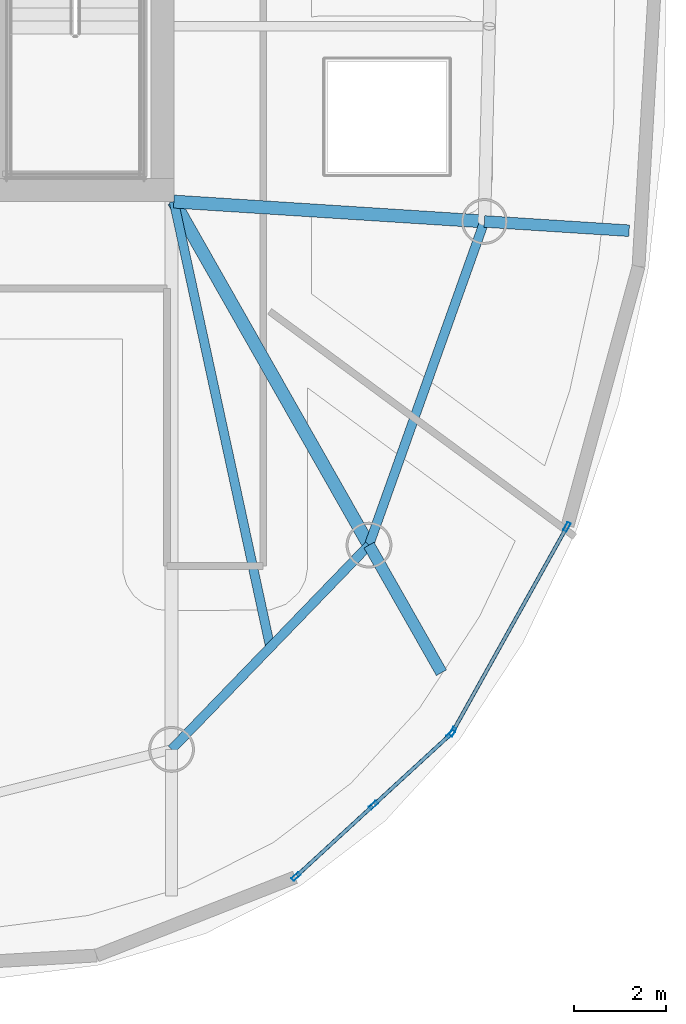
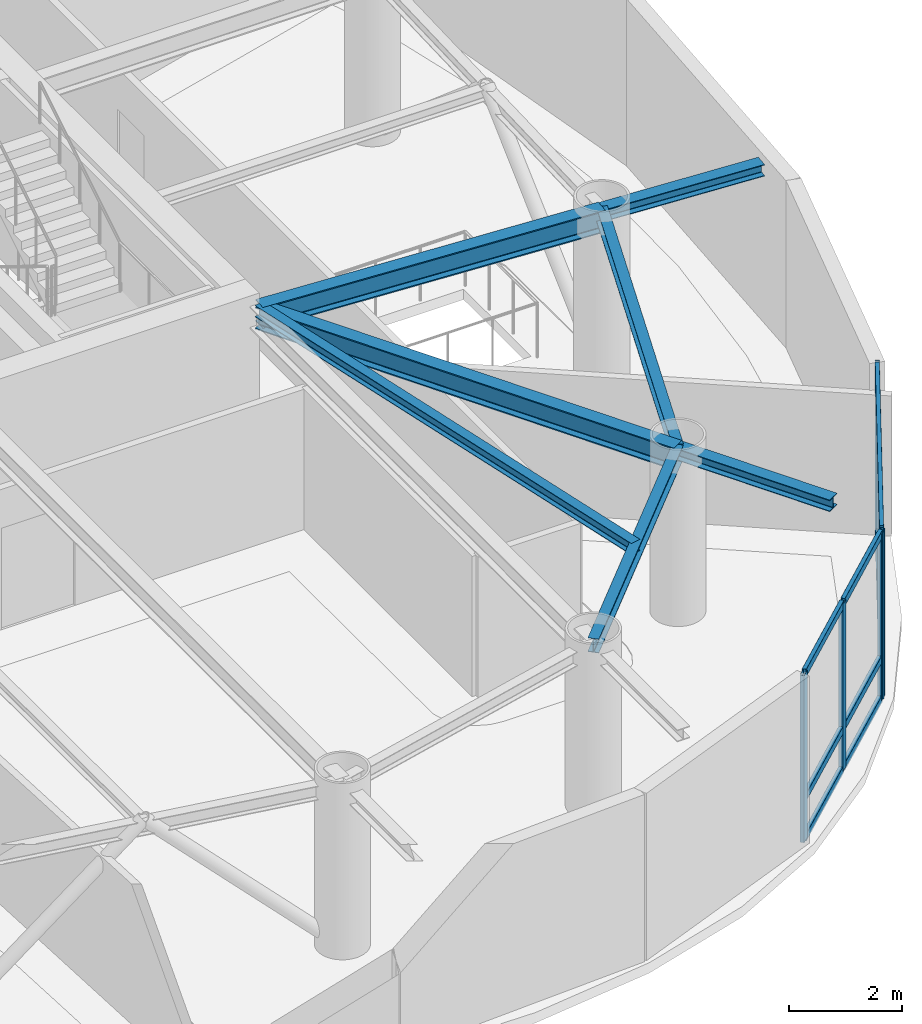
# One storey, part 5 of 17: 13 members, 7 beams, 2 elements without a shape of their own.
"""IFC4 building model written with IfcOpenShell, lengths in metres."""

from ifc_helpers import new_model, si_unit, direction, frame, origin, origin_2d, place, context, subcontext, project, spatial, hollow_rectangle, i_section, extrude, material, layer, layer_set, material_profile, profile_set, type_object, element, aggregate, save


model = new_model("IFC4")

# Units and contexts
model_context = context("Model", 3, precision=1e-05, world=origin(), true_north=direction((0.0, 1.0)))
body_context = subcontext(model_context, "Body", "Model", "MODEL_VIEW")
ifc_project = project(units=[si_unit("LENGTHUNIT", "METRE"), si_unit("AREAUNIT", "SQUARE_METRE"), si_unit("VOLUMEUNIT", "CUBIC_METRE"), si_unit("PLANEANGLEUNIT", "RADIAN"), si_unit("MASSUNIT", "GRAM", prefix="KILO")], contexts=[model_context])

# Site, building, storey
site_placement = place(None, origin())
site = spatial("IfcSite", under=ifc_project, at=site_placement, CompositionType="ELEMENT")
building_placement = place(site_placement, origin())
building = spatial("IfcBuilding", under=site, at=building_placement, Name="Bramvorn Convention Spire", CompositionType="ELEMENT")
storey_placement = place(building_placement, frame((0.0, 0.0, 265.14990234375)))
storey = spatial("IfcBuildingStorey", under=building, at=storey_placement, Name="L67", CompositionType="ELEMENT", Elevation=265.14990234375)

# Beams
ifc_material_1 = material(Name="Steel CSA G40.21 Grade 350 (350W)", Category="steel")
ifc_material_profile_1 = material_profile(ifc_material_1, i_section(OverallWidth=0.201904296875, OverallDepth=0.2470703125, WebThickness=0.00732421875, FlangeThickness=0.010986328125, FilletRadius=0.011962890625, at=origin_2d()))
ifc_profile_set_1 = profile_set([ifc_material_profile_1], Name="Steel CSA G40.21 Grade 350 (350W) - W250X49")
beam_type_1 = type_object("IfcBeamType", Name="BM-W250X49", PredefinedType="JOIST", material=ifc_profile_set_1)
beam_1_placement = place(storey_placement, frame((49.25, 18.550048828125, 3.501708984375), z_axis=(0.211461445939, -0.977386339623, 0.0), x_axis=(0.977386339623, 0.211461445939, 0.0)))
element("IfcBeam", 1, at=beam_1_placement, inside=storey, type_object=beam_type_1, Name="L67 composite floor joist 01", PredefinedType="JOIST", context=body_context, shape_type="SweptSolid", body=[
    extrude(i_section(OverallWidth=0.201904296875, OverallDepth=0.2470703125, WebThickness=0.00732421875, FlangeThickness=0.010986328125, FilletRadius=0.011962890625, at=origin_2d()), origin(), (0.0, 0.0, 1.0), 9.9462890625),
])
ifc_material_profile_2 = material_profile(ifc_material_1, i_section(OverallWidth=0.25390625, OverallDepth=0.2529296875, WebThickness=0.008544921875, FlangeThickness=0.01416015625, FilletRadius=0.011962890625, at=origin_2d()))
ifc_profile_set_2 = profile_set([ifc_material_profile_2], Name="Steel CSA G40.21 Grade 350 (350W) - W250X73")
beam_type_2 = type_object("IfcBeamType", Name="BM-W250X73", PredefinedType="BEAM", material=ifc_profile_set_2)
beam_2_placement = place(storey_placement, frame((53.50634765625, 11.05615234375, 3.49853515625), z_axis=(0.493918961888, -0.869507940785, 0.0), x_axis=(0.869507940785, 0.493918961888, 0.0)))
element("IfcBeam", 2, at=beam_2_placement, inside=storey, type_object=beam_type_2, Name="L67 slab-edge cantilever tip beam MC02", PredefinedType="BEAM", context=body_context, shape_type="SweptSolid", body=[
    extrude(i_section(OverallWidth=0.25390625, OverallDepth=0.2529296875, WebThickness=0.008544921875, FlangeThickness=0.01416015625, FilletRadius=0.011962890625, at=origin_2d()), origin(), (0.0, 0.0, 1.0), 3.199951171875),
])
beam_3_placement = place(storey_placement, frame((56.023681640625, 18.116455078125, 3.49853515625), z_axis=(0.997960198338, -0.063839192762, 0.0), x_axis=(0.063839192762, 0.997960198338, 0.0)))
element("IfcBeam", 3, at=beam_3_placement, inside=storey, type_object=beam_type_2, Name="L67 slab-edge cantilever tip beam MC03", PredefinedType="BEAM", context=body_context, shape_type="SweptSolid", body=[
    extrude(i_section(OverallWidth=0.25390625, OverallDepth=0.2529296875, WebThickness=0.008544921875, FlangeThickness=0.01416015625, FilletRadius=0.011962890625, at=origin_2d()), origin(), (0.0, 0.0, 1.0), 3.16259765625),
])
ifc_material_profile_3 = material_profile(ifc_material_1, i_section(OverallWidth=0.202880859375, OverallDepth=0.302978515625, WebThickness=0.007568359375, FlangeThickness=0.01318359375, FilletRadius=0.013916015625, at=origin_2d()))
ifc_profile_set_3 = profile_set([ifc_material_profile_3], Name="Steel CSA G40.21 Grade 350 (350W) - W310X60")
beam_type_3 = type_object("IfcBeamType", Name="BM-W310X60", PredefinedType="JOIST", material=ifc_profile_set_3)
beam_4_placement = place(storey_placement, frame((49.199951171875, 6.60107421875, 3.4736328125), z_axis=(0.695007159797, 0.719002814898, 0.0), x_axis=(-0.719002814898, 0.695007159797, 0.0)))
element("IfcBeam", 4, at=beam_4_placement, inside=storey, type_object=beam_type_3, Name="L67 mega-column ring beam 01", PredefinedType="JOIST", context=body_context, shape_type="SweptSolid", body=[
    extrude(i_section(OverallWidth=0.202880859375, OverallDepth=0.302978515625, WebThickness=0.007568359375, FlangeThickness=0.01318359375, FilletRadius=0.013916015625, at=origin_2d()), origin(), (0.0, 0.0, 1.0), 6.1962890625),
])
beam_5_placement = place(storey_placement, frame((53.50634765625, 11.05615234375, 3.4736328125), z_axis=(0.335839090413, 0.941919373063, 0.0), x_axis=(-0.941919373063, 0.335839090413, 0.0)))
element("IfcBeam", 5, at=beam_5_placement, inside=storey, type_object=beam_type_3, Name="L67 mega-column ring beam 02", PredefinedType="JOIST", context=body_context, shape_type="SweptSolid", body=[
    extrude(i_section(OverallWidth=0.202880859375, OverallDepth=0.302978515625, WebThickness=0.007568359375, FlangeThickness=0.01318359375, FilletRadius=0.013916015625, at=origin_2d()), origin(), (0.0, 0.0, 1.0), 7.49560546875),
])
ifc_material_profile_4 = material_profile(ifc_material_1, i_section(OverallWidth=0.283935546875, OverallDepth=0.47607421875, WebThickness=0.014892578125, FlangeThickness=0.02392578125, FilletRadius=0.01806640625, at=origin_2d()))
ifc_profile_set_4 = profile_set([ifc_material_profile_4], Name="Steel CSA G40.21 Grade 350 (350W) - W460X158")
beam_type_4 = type_object("IfcBeamType", Name="BM-W460X158", PredefinedType="SPANDREL", material=ifc_profile_set_4)
beam_6_placement = place(storey_placement, frame((49.25, 18.550048828125, 3.38720703125), z_axis=(0.493873612118, -0.869533699895, 0.0), x_axis=(0.869533699895, 0.493873612118, 0.0)))
element("IfcBeam", 6, at=beam_6_placement, inside=storey, type_object=beam_type_4, Name="L67 radial floor girder MC02", PredefinedType="SPANDREL", context=body_context, shape_type="SweptSolid", body=[
    extrude(i_section(OverallWidth=0.283935546875, OverallDepth=0.47607421875, WebThickness=0.014892578125, FlangeThickness=0.02392578125, FilletRadius=0.01806640625, at=origin_2d()), origin(), (0.0, 0.0, 1.0), 8.618408203125),
])
beam_7_placement = place(storey_placement, frame((49.25, 18.550048828125, 3.38720703125), z_axis=(0.997957536354, -0.063880792379, 0.0), x_axis=(0.063880792379, 0.997957536354, 0.0)))
element("IfcBeam", 7, at=beam_7_placement, inside=storey, type_object=beam_type_4, Name="L67 radial floor girder MC03", PredefinedType="SPANDREL", context=body_context, shape_type="SweptSolid", body=[
    extrude(i_section(OverallWidth=0.283935546875, OverallDepth=0.47607421875, WebThickness=0.014892578125, FlangeThickness=0.02392578125, FilletRadius=0.01806640625, at=origin_2d()), origin(), (0.0, 0.0, 1.0), 6.78759765625),
])

# Curtain wall, members
ifc_material_2 = material(Name="Anodised Bronze Unitised Curtain Wall", Category="aluminium")
ifc_layer = layer(ifc_material_2, 0.179931640625)
ifc_layer_set = layer_set([ifc_layer], Name="Anodised Bronze Unitised Curtain Wall - CW-OFF-FRIT")
curtain_wall_type = type_object("IfcCurtainWallType", Name="CW-OFF-FRIT", PredefinedType="USERDEFINED", material=ifc_layer_set)
curtain_wall_1_placement = place(storey_placement, origin())
curtain_wall_1 = element("IfcCurtainWall", 8, at=curtain_wall_1_placement, inside=storey, type_object=curtain_wall_type, Name="L67 fritted glass curtain wall 01", ObjectType="UNITISED CURTAIN WALL", PredefinedType="USERDEFINED")
ifc_material_3 = material(Name="Anodised Bronze Aluminium 6063-T6", Category="aluminium")
ifc_material_profile_5 = material_profile(ifc_material_3, hollow_rectangle(XDim=0.080078125, YDim=0.199951171875, WallThickness=0.00390625, InnerFilletRadius=0.0009765625, OuterFilletRadius=0.00390625, at=origin_2d()))
ifc_profile_set_5 = profile_set([ifc_material_profile_5], Name="Anodised Bronze Aluminium 6063-T6 - CWM80X200")
member_type_1 = type_object("IfcMemberType", Name="CW-MUL-180", PredefinedType="MULLION", material=ifc_profile_set_5)
member_1_placement = place(storey_placement, frame((55.294189453125, 6.9375, 0.0), z_axis=(0.0, 0.0, 1.0), x_axis=(0.676832903814, -0.736136685891, 0.0)))
member_1 = element("IfcMember", 9, at=member_1_placement, type_object=member_type_1, Name="CW3 mullion 1", PredefinedType="MULLION", context=body_context, shape_type="SweptSolid", body=[
    extrude(hollow_rectangle(XDim=0.080078125, YDim=0.199951171875, WallThickness=0.00390625, InnerFilletRadius=0.0009765625, OuterFilletRadius=0.00390625, at=origin_2d()), origin(), (0.0, 0.0, 1.0), 3.625),
])
member_2_placement = place(storey_placement, frame((53.6044921875, 5.384033203125, 0.0), z_axis=(0.0, 0.0, 1.0), x_axis=(0.676832903814, -0.736136685891, 0.0)))
member_2 = element("IfcMember", 10, at=member_2_placement, type_object=member_type_1, Name="CW3 mullion 2", PredefinedType="MULLION", context=body_context, shape_type="SweptSolid", body=[
    extrude(hollow_rectangle(XDim=0.080078125, YDim=0.199951171875, WallThickness=0.00390625, InnerFilletRadius=0.0009765625, OuterFilletRadius=0.00390625, at=origin_2d()), origin(), (0.0, 0.0, 1.0), 3.625),
])
member_3_placement = place(storey_placement, frame((51.914794921875, 3.83056640625, 0.0), z_axis=(0.0, 0.0, 1.0), x_axis=(0.676832903814, -0.736136685891, 0.0)))
member_3 = element("IfcMember", 11, at=member_3_placement, type_object=member_type_1, Name="CW3 mullion 3", PredefinedType="MULLION", context=body_context, shape_type="SweptSolid", body=[
    extrude(hollow_rectangle(XDim=0.080078125, YDim=0.199951171875, WallThickness=0.00390625, InnerFilletRadius=0.0009765625, OuterFilletRadius=0.00390625, at=origin_2d()), origin(), (0.0, 0.0, 1.0), 3.625),
])

curtain_wall_2_placement = place(storey_placement, origin())
curtain_wall_2 = element("IfcCurtainWall", 12, at=curtain_wall_2_placement, inside=storey, type_object=curtain_wall_type, Name="L67 fritted glass curtain wall 02", ObjectType="UNITISED CURTAIN WALL", PredefinedType="USERDEFINED")
member_4_placement = place(storey_placement, frame((57.823974609375, 11.455078125, 0.0), z_axis=(0.0, 0.0, 1.0), x_axis=(0.873393883676, -0.487014500767, 0.0)))
member_4 = element("IfcMember", 13, at=member_4_placement, type_object=member_type_1, Name="CW3 mullion 1", PredefinedType="MULLION", context=body_context, shape_type="SweptSolid", body=[
    extrude(hollow_rectangle(XDim=0.080078125, YDim=0.199951171875, WallThickness=0.00390625, InnerFilletRadius=0.0009765625, OuterFilletRadius=0.00390625, at=origin_2d()), origin(), (0.0, 0.0, 1.0), 3.625),
])
member_5_placement = place(storey_placement, frame((55.330810546875, 6.984130859375, 0.0), z_axis=(0.0, 0.0, 1.0), x_axis=(0.873393883676, -0.487014500767, 0.0)))
member_5 = element("IfcMember", 14, at=member_5_placement, type_object=member_type_1, Name="CW3 mullion 2", PredefinedType="MULLION", context=body_context, shape_type="SweptSolid", body=[
    extrude(hollow_rectangle(XDim=0.080078125, YDim=0.199951171875, WallThickness=0.00390625, InnerFilletRadius=0.0009765625, OuterFilletRadius=0.00390625, at=origin_2d()), origin(), (0.0, 0.0, 1.0), 3.625),
])

# Member
ifc_material_profile_6 = material_profile(ifc_material_3, hollow_rectangle(XDim=0.080078125, YDim=0.159912109375, WallThickness=0.00390625, InnerFilletRadius=0.0009765625, OuterFilletRadius=0.00390625, at=origin_2d()))
ifc_profile_set_6 = profile_set([ifc_material_profile_6], Name="Anodised Bronze Aluminium 6063-T6 - CWT80X160")
member_type_2 = type_object("IfcMemberType", Name="CW-TRN-150", PredefinedType="USERDEFINED", material=ifc_profile_set_6)
member_6_placement = place(storey_placement, frame((55.27197265625, 6.917236328125, 0.030029296875), z_axis=(-0.736137774722, -0.676831719578, 0.0), x_axis=(0.676831719578, -0.736137774722, 0.0)))
member_6 = element("IfcMember", 15, at=member_6_placement, type_object=member_type_2, Name="CW3 transom 1.1", ObjectType="TRANSOM", PredefinedType="USERDEFINED", context=body_context, shape_type="SweptSolid", body=[
    extrude(hollow_rectangle(XDim=0.080078125, YDim=0.159912109375, WallThickness=0.00390625, InnerFilletRadius=0.0009765625, OuterFilletRadius=0.00390625, at=origin_2d()), origin(), (0.0, 0.0, 1.0), 2.2353515625),
])

member_7_placement = place(storey_placement, frame((55.27197265625, 6.917236328125, 0.900146484375), z_axis=(-0.736137774722, -0.676831719578, 0.0), x_axis=(0.676831719578, -0.736137774722, 0.0)))
member_7 = element("IfcMember", 16, at=member_7_placement, type_object=member_type_2, Name="CW3 transom 1.2", ObjectType="TRANSOM", PredefinedType="USERDEFINED", context=body_context, shape_type="SweptSolid", body=[
    extrude(hollow_rectangle(XDim=0.080078125, YDim=0.159912109375, WallThickness=0.00390625, InnerFilletRadius=0.0009765625, OuterFilletRadius=0.00390625, at=origin_2d()), origin(), (0.0, 0.0, 1.0), 2.2353515625),
])

member_8_placement = place(storey_placement, frame((55.27197265625, 6.917236328125, 3.59521484375), z_axis=(-0.736137774722, -0.676831719578, 0.0), x_axis=(0.676831719578, -0.736137774722, 0.0)))
member_8 = element("IfcMember", 17, at=member_8_placement, type_object=member_type_2, Name="CW3 transom 1.3", ObjectType="TRANSOM", PredefinedType="USERDEFINED", context=body_context, shape_type="SweptSolid", body=[
    extrude(hollow_rectangle(XDim=0.080078125, YDim=0.159912109375, WallThickness=0.00390625, InnerFilletRadius=0.0009765625, OuterFilletRadius=0.00390625, at=origin_2d()), origin(), (0.0, 0.0, 1.0), 2.2353515625),
])

member_9_placement = place(storey_placement, frame((53.582275390625, 5.36376953125, 0.030029296875), z_axis=(-0.736137774722, -0.676831719578, 0.0), x_axis=(0.676831719578, -0.736137774722, 0.0)))
member_9 = element("IfcMember", 18, at=member_9_placement, type_object=member_type_2, Name="CW3 transom 2.1", ObjectType="TRANSOM", PredefinedType="USERDEFINED", context=body_context, shape_type="SweptSolid", body=[
    extrude(hollow_rectangle(XDim=0.080078125, YDim=0.159912109375, WallThickness=0.00390625, InnerFilletRadius=0.0009765625, OuterFilletRadius=0.00390625, at=origin_2d()), origin(), (0.0, 0.0, 1.0), 2.2353515625),
])

member_10_placement = place(storey_placement, frame((53.582275390625, 5.36376953125, 0.900146484375), z_axis=(-0.736137774722, -0.676831719578, 0.0), x_axis=(0.676831719578, -0.736137774722, 0.0)))
member_10 = element("IfcMember", 19, at=member_10_placement, type_object=member_type_2, Name="CW3 transom 2.2", ObjectType="TRANSOM", PredefinedType="USERDEFINED", context=body_context, shape_type="SweptSolid", body=[
    extrude(hollow_rectangle(XDim=0.080078125, YDim=0.159912109375, WallThickness=0.00390625, InnerFilletRadius=0.0009765625, OuterFilletRadius=0.00390625, at=origin_2d()), origin(), (0.0, 0.0, 1.0), 2.2353515625),
])

member_11_placement = place(storey_placement, frame((53.582275390625, 5.36376953125, 3.59521484375), z_axis=(-0.736137774722, -0.676831719578, 0.0), x_axis=(0.676831719578, -0.736137774722, 0.0)))
member_11 = element("IfcMember", 20, at=member_11_placement, type_object=member_type_2, Name="CW3 transom 2.3", ObjectType="TRANSOM", PredefinedType="USERDEFINED", context=body_context, shape_type="SweptSolid", body=[
    extrude(hollow_rectangle(XDim=0.080078125, YDim=0.159912109375, WallThickness=0.00390625, InnerFilletRadius=0.0009765625, OuterFilletRadius=0.00390625, at=origin_2d()), origin(), (0.0, 0.0, 1.0), 2.2353515625),
])

aggregate(curtain_wall_1, [member_1, member_2, member_3, member_6, member_7, member_8, member_9, member_10, member_11])

member_12_placement = place(storey_placement, frame((57.809326171875, 11.428955078125, 0.030029296875), z_axis=(-0.487006729859, -0.873398216778, 0.0), x_axis=(0.873398216778, -0.487006729859, 0.0)))
member_12 = element("IfcMember", 21, at=member_12_placement, type_object=member_type_2, Name="CW3 transom 1.1", ObjectType="TRANSOM", PredefinedType="USERDEFINED", context=body_context, shape_type="SweptSolid", body=[
    extrude(hollow_rectangle(XDim=0.080078125, YDim=0.159912109375, WallThickness=0.00390625, InnerFilletRadius=0.0009765625, OuterFilletRadius=0.00390625, at=origin_2d()), origin(), (0.0, 0.0, 1.0), 5.059326171875),
])

member_13_placement = place(storey_placement, frame((57.809326171875, 11.428955078125, 3.59521484375), z_axis=(-0.487006729859, -0.873398216778, 0.0), x_axis=(0.873398216778, -0.487006729859, 0.0)))
member_13 = element("IfcMember", 22, at=member_13_placement, type_object=member_type_2, Name="CW3 transom 1.2", ObjectType="TRANSOM", PredefinedType="USERDEFINED", context=body_context, shape_type="SweptSolid", body=[
    extrude(hollow_rectangle(XDim=0.080078125, YDim=0.159912109375, WallThickness=0.00390625, InnerFilletRadius=0.0009765625, OuterFilletRadius=0.00390625, at=origin_2d()), origin(), (0.0, 0.0, 1.0), 5.059326171875),
])

aggregate(curtain_wall_2, [member_4, member_5, member_12, member_13])

save(model, "model.ifc")
